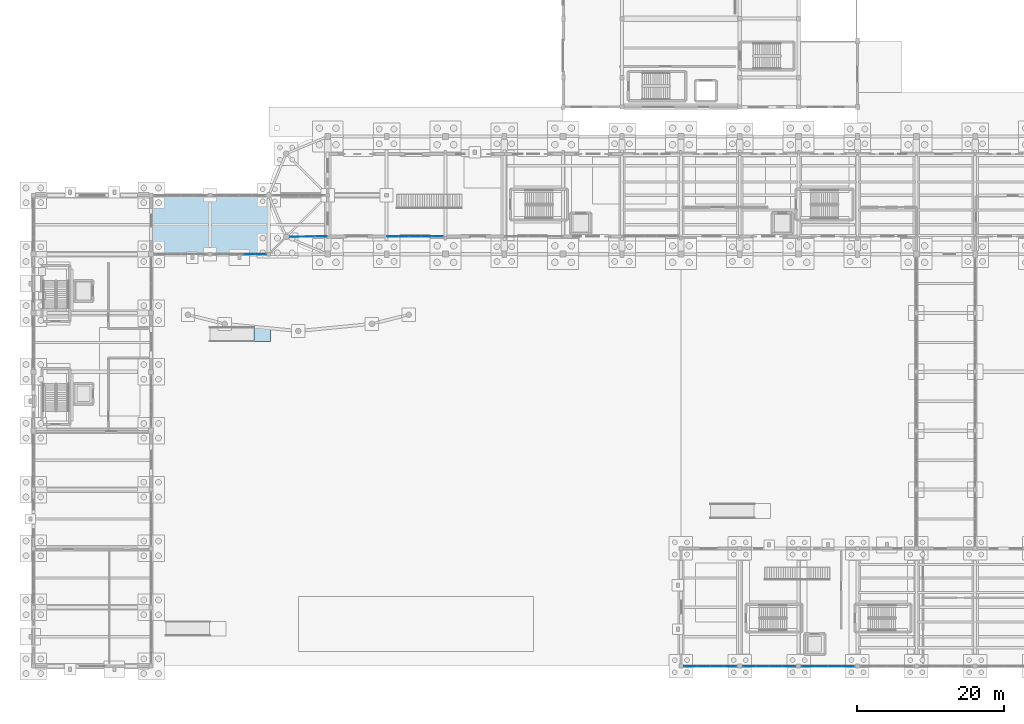
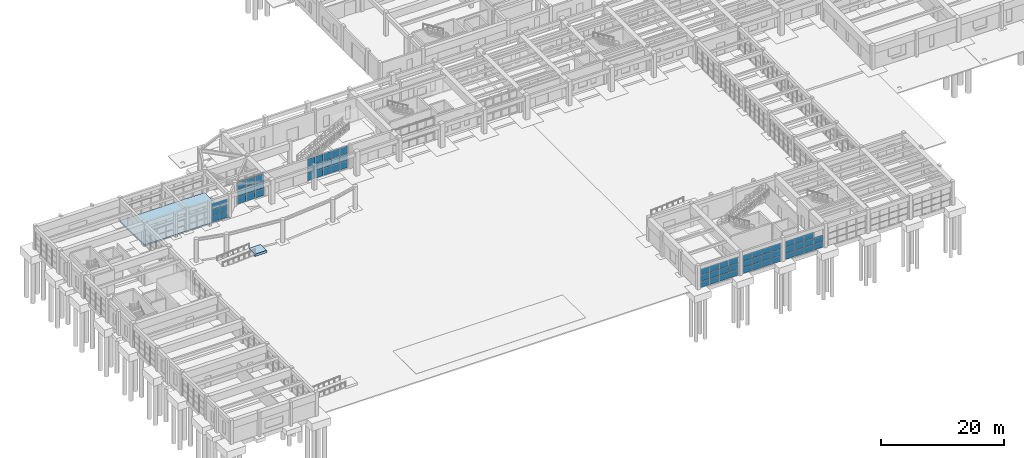
# One storey, part 37 of 68: 65 plates, 2 slabs, 6 elements without a shape of their own.
"""IFC4 building model written with IfcOpenShell, lengths in metres."""

from ifc_helpers import new_model, si_unit, direction, frame, origin, origin_2d, place, context, subcontext, project, spatial, polyline, rectangle, outline, extrude, material, layer, layer_set, type_object, element, aggregate, save


model = new_model("IFC4")

# Units and contexts
model_context = context("Model", 3, precision=1e-05, world=origin(), true_north=direction((0.0, 1.0)))
body_context = subcontext(model_context, "Body", "Model", "MODEL_VIEW")
ifc_project = project(units=[si_unit("LENGTHUNIT", "METRE"), si_unit("AREAUNIT", "SQUARE_METRE"), si_unit("VOLUMEUNIT", "CUBIC_METRE"), si_unit("PLANEANGLEUNIT", "RADIAN"), si_unit("MASSUNIT", "GRAM", prefix="KILO")], contexts=[model_context])

# Site, building, storey
site_placement = place(None, origin())
site = spatial("IfcSite", under=ifc_project, at=site_placement, CompositionType="ELEMENT")
building_placement = place(site_placement, origin())
building = spatial("IfcBuilding", under=site, at=building_placement, Name="Serraluz Foothill Cableway Terminal", CompositionType="ELEMENT")
storey_placement = place(building_placement, origin())
storey = spatial("IfcBuildingStorey", under=building, at=storey_placement, Name="L00", CompositionType="ELEMENT", Elevation=0.0)

# Curtain wall, plates
ifc_material_1 = material(Name="Architectural bronze alloy C28000", Category="aluminium")
curtain_wall_type_1 = type_object("IfcCurtainWallType", Name="TYP-CW-720X420", PredefinedType="NOTDEFINED", material=ifc_material_1)
curtain_wall_1_placement = place(storey_placement, origin())
curtain_wall_1 = element("IfcCurtainWall", 1, at=curtain_wall_1_placement, inside=storey, type_object=curtain_wall_type_1, Name="Ribbed Glazed Curtain Wall CW-V1S-L00-48", PredefinedType="NOTDEFINED")
ifc_material_2 = material(Name="Translucent ribbed laminated channel glass", Category="glass")
ifc_layer_1 = layer(ifc_material_2, 0.028076171875, Name="Translucent ribbed laminated channel glass", Category="glass")
ifc_layer_set_1 = layer_set([ifc_layer_1], Name="Translucent ribbed laminated channel glass")
plate_type_1 = type_object("IfcPlateType", Name="TYP-CW-PNL-28", PredefinedType="CURTAIN_PANEL", material=ifc_layer_set_1)
plate_1_placement = place(storey_placement, frame((54.90673828125, 58.39990234375, 0.06005859375), z_axis=(0.0, 0.0, 1.0), x_axis=(-1.0, 0.0, 0.0)))
plate_1 = element("IfcPlate", 2, at=plate_1_placement, type_object=plate_type_1, Name="CW-02 panel 1.1", PredefinedType="CURTAIN_PANEL", context=body_context, shape_type="SweptSolid", body=[
    extrude(rectangle(XDim=1.4365234375, YDim=0.028076171875, at=origin_2d()), origin(), (0.0, 0.0, 1.0), 1.393310546875),
])
plate_2_placement = place(storey_placement, frame((54.90673828125, 58.39990234375, 1.513427734375), z_axis=(0.0, 0.0, 1.0), x_axis=(-1.0, 0.0, 0.0)))
plate_2 = element("IfcPlate", 3, at=plate_2_placement, type_object=plate_type_1, Name="CW-02 panel 1.2", PredefinedType="CURTAIN_PANEL", context=body_context, shape_type="SweptSolid", body=[
    extrude(rectangle(XDim=1.4365234375, YDim=0.028076171875, at=origin_2d()), origin(), (0.0, 0.0, 1.0), 1.42333984375),
])
plate_3_placement = place(storey_placement, frame((54.90673828125, 58.39990234375, 2.99658203125), z_axis=(0.0, 0.0, 1.0), x_axis=(-1.0, 0.0, 0.0)))
plate_3 = element("IfcPlate", 4, at=plate_3_placement, type_object=plate_type_1, Name="CW-02 panel 1.3", PredefinedType="CURTAIN_PANEL", context=body_context, shape_type="SweptSolid", body=[
    extrude(rectangle(XDim=1.4365234375, YDim=0.028076171875, at=origin_2d()), origin(), (0.0, 0.0, 1.0), 1.393310546875),
])
plate_4_placement = place(storey_placement, frame((53.39501953125, 58.39990234375, 0.06005859375), z_axis=(0.0, 0.0, 1.0), x_axis=(-1.0, 0.0, 0.0)))
plate_4 = element("IfcPlate", 5, at=plate_4_placement, type_object=plate_type_1, Name="CW-02 panel 2.1", PredefinedType="CURTAIN_PANEL", context=body_context, shape_type="SweptSolid", body=[
    extrude(rectangle(XDim=1.466552734375, YDim=0.028076171875, at=origin_2d()), origin(), (0.0, 0.0, 1.0), 1.393310546875),
])
plate_5_placement = place(storey_placement, frame((53.39501953125, 58.39990234375, 1.513427734375), z_axis=(0.0, 0.0, 1.0), x_axis=(-1.0, 0.0, 0.0)))
plate_5 = element("IfcPlate", 6, at=plate_5_placement, type_object=plate_type_1, Name="CW-02 panel 2.2", PredefinedType="CURTAIN_PANEL", context=body_context, shape_type="SweptSolid", body=[
    extrude(rectangle(XDim=1.466552734375, YDim=0.028076171875, at=origin_2d()), origin(), (0.0, 0.0, 1.0), 1.42333984375),
])
plate_6_placement = place(storey_placement, frame((53.39501953125, 58.39990234375, 2.99658203125), z_axis=(0.0, 0.0, 1.0), x_axis=(-1.0, 0.0, 0.0)))
plate_6 = element("IfcPlate", 7, at=plate_6_placement, type_object=plate_type_1, Name="CW-02 panel 2.3", PredefinedType="CURTAIN_PANEL", context=body_context, shape_type="SweptSolid", body=[
    extrude(rectangle(XDim=1.466552734375, YDim=0.028076171875, at=origin_2d()), origin(), (0.0, 0.0, 1.0), 1.393310546875),
])
plate_7_placement = place(storey_placement, frame((51.868408203125, 58.39990234375, 0.06005859375), z_axis=(0.0, 0.0, 1.0), x_axis=(-1.0, 0.0, 0.0)))
plate_7 = element("IfcPlate", 8, at=plate_7_placement, type_object=plate_type_1, Name="CW-02 panel 3.1", PredefinedType="CURTAIN_PANEL", context=body_context, shape_type="SweptSolid", body=[
    extrude(rectangle(XDim=1.466552734375, YDim=0.028076171875, at=origin_2d()), origin(), (0.0, 0.0, 1.0), 1.393310546875),
])
plate_8_placement = place(storey_placement, frame((51.868408203125, 58.39990234375, 1.513427734375), z_axis=(0.0, 0.0, 1.0), x_axis=(-1.0, 0.0, 0.0)))
plate_8 = element("IfcPlate", 9, at=plate_8_placement, type_object=plate_type_1, Name="CW-02 panel 3.2", PredefinedType="CURTAIN_PANEL", context=body_context, shape_type="SweptSolid", body=[
    extrude(rectangle(XDim=1.466552734375, YDim=0.028076171875, at=origin_2d()), origin(), (0.0, 0.0, 1.0), 1.42333984375),
])
plate_9_placement = place(storey_placement, frame((51.868408203125, 58.39990234375, 2.99658203125), z_axis=(0.0, 0.0, 1.0), x_axis=(-1.0, 0.0, 0.0)))
plate_9 = element("IfcPlate", 10, at=plate_9_placement, type_object=plate_type_1, Name="CW-02 panel 3.3", PredefinedType="CURTAIN_PANEL", context=body_context, shape_type="SweptSolid", body=[
    extrude(rectangle(XDim=1.466552734375, YDim=0.028076171875, at=origin_2d()), origin(), (0.0, 0.0, 1.0), 1.393310546875),
])
plate_10_placement = place(storey_placement, frame((50.341796875, 58.39990234375, 0.06005859375), z_axis=(0.0, 0.0, 1.0), x_axis=(-1.0, 0.0, 0.0)))
plate_10 = element("IfcPlate", 11, at=plate_10_placement, type_object=plate_type_1, Name="CW-02 panel 4.1", PredefinedType="CURTAIN_PANEL", context=body_context, shape_type="SweptSolid", body=[
    extrude(rectangle(XDim=1.466552734375, YDim=0.028076171875, at=origin_2d()), origin(), (0.0, 0.0, 1.0), 1.393310546875),
])
plate_11_placement = place(storey_placement, frame((50.341796875, 58.39990234375, 1.513427734375), z_axis=(0.0, 0.0, 1.0), x_axis=(-1.0, 0.0, 0.0)))
plate_11 = element("IfcPlate", 12, at=plate_11_placement, type_object=plate_type_1, Name="CW-02 panel 4.2", PredefinedType="CURTAIN_PANEL", context=body_context, shape_type="SweptSolid", body=[
    extrude(rectangle(XDim=1.466552734375, YDim=0.028076171875, at=origin_2d()), origin(), (0.0, 0.0, 1.0), 1.42333984375),
])
plate_12_placement = place(storey_placement, frame((50.341796875, 58.39990234375, 2.99658203125), z_axis=(0.0, 0.0, 1.0), x_axis=(-1.0, 0.0, 0.0)))
plate_12 = element("IfcPlate", 13, at=plate_12_placement, type_object=plate_type_1, Name="CW-02 panel 4.3", PredefinedType="CURTAIN_PANEL", context=body_context, shape_type="SweptSolid", body=[
    extrude(rectangle(XDim=1.466552734375, YDim=0.028076171875, at=origin_2d()), origin(), (0.0, 0.0, 1.0), 1.393310546875),
])
plate_13_placement = place(storey_placement, frame((48.830322265625, 58.39990234375, 0.06005859375), z_axis=(0.0, 0.0, 1.0), x_axis=(-1.0, 0.0, 0.0)))
plate_13 = element("IfcPlate", 14, at=plate_13_placement, type_object=plate_type_1, Name="CW-02 panel 5.1", PredefinedType="CURTAIN_PANEL", context=body_context, shape_type="SweptSolid", body=[
    extrude(rectangle(XDim=1.4365234375, YDim=0.028076171875, at=origin_2d()), origin(), (0.0, 0.0, 1.0), 1.393310546875),
])
plate_14_placement = place(storey_placement, frame((48.830322265625, 58.39990234375, 1.513427734375), z_axis=(0.0, 0.0, 1.0), x_axis=(-1.0, 0.0, 0.0)))
plate_14 = element("IfcPlate", 15, at=plate_14_placement, type_object=plate_type_1, Name="CW-02 panel 5.2", PredefinedType="CURTAIN_PANEL", context=body_context, shape_type="SweptSolid", body=[
    extrude(rectangle(XDim=1.4365234375, YDim=0.028076171875, at=origin_2d()), origin(), (0.0, 0.0, 1.0), 1.42333984375),
])
plate_15_placement = place(storey_placement, frame((48.830322265625, 58.39990234375, 2.99658203125), z_axis=(0.0, 0.0, 1.0), x_axis=(-1.0, 0.0, 0.0)))
plate_15 = element("IfcPlate", 16, at=plate_15_placement, type_object=plate_type_1, Name="CW-02 panel 5.3", PredefinedType="CURTAIN_PANEL", context=body_context, shape_type="SweptSolid", body=[
    extrude(rectangle(XDim=1.4365234375, YDim=0.028076171875, at=origin_2d()), origin(), (0.0, 0.0, 1.0), 1.393310546875),
])
aggregate(curtain_wall_1, [plate_1, plate_2, plate_3, plate_4, plate_5, plate_6, plate_7, plate_8, plate_9, plate_10, plate_11, plate_12, plate_13, plate_14, plate_15])

curtain_wall_type_2 = type_object("IfcCurtainWallType", Name="TYP-CW-710X420", PredefinedType="NOTDEFINED", material=ifc_material_1)
curtain_wall_2_placement = place(storey_placement, origin())
curtain_wall_2 = element("IfcCurtainWall", 17, at=curtain_wall_2_placement, inside=storey, type_object=curtain_wall_type_2, Name="Ribbed Glazed Curtain Wall CW-WLS-L00-24", PredefinedType="NOTDEFINED")
plate_16_placement = place(storey_placement, frame((30.873046875, 56.0, 0.06005859375), z_axis=(0.0, 0.0, 1.0), x_axis=(-1.0, 0.0, 0.0)))
plate_16 = element("IfcPlate", 18, at=plate_16_placement, type_object=plate_type_1, Name="CW-01 panel 1.1", PredefinedType="CURTAIN_PANEL", context=body_context, shape_type="SweptSolid", body=[
    extrude(rectangle(XDim=1.35400390625, YDim=0.028076171875, at=origin_2d()), origin(), (0.0, 0.0, 1.0), 1.179931640625),
])
plate_17_placement = place(storey_placement, frame((30.873046875, 56.0, 1.300048828125), z_axis=(0.0, 0.0, 1.0), x_axis=(-1.0, 0.0, 0.0)))
plate_17 = element("IfcPlate", 19, at=plate_17_placement, type_object=plate_type_1, Name="CW-01 panel 1.2", PredefinedType="CURTAIN_PANEL", context=body_context, shape_type="SweptSolid", body=[
    extrude(rectangle(XDim=1.35400390625, YDim=0.028076171875, at=origin_2d()), origin(), (0.0, 0.0, 1.0), 1.2099609375),
])
plate_18_placement = place(storey_placement, frame((30.873046875, 56.0, 2.56982421875), z_axis=(0.0, 0.0, 1.0), x_axis=(-1.0, 0.0, 0.0)))
plate_18 = element("IfcPlate", 20, at=plate_18_placement, type_object=plate_type_1, Name="CW-01 panel 1.3", PredefinedType="CURTAIN_PANEL", context=body_context, shape_type="SweptSolid", body=[
    extrude(rectangle(XDim=1.35400390625, YDim=0.028076171875, at=origin_2d()), origin(), (0.0, 0.0, 1.0), 1.179931640625),
])
plate_19_placement = place(storey_placement, frame((29.444091796875, 56.0, 0.06005859375), z_axis=(0.0, 0.0, 1.0), x_axis=(-1.0, 0.0, 0.0)))
plate_19 = element("IfcPlate", 21, at=plate_19_placement, type_object=plate_type_1, Name="CW-01 panel 2.1", PredefinedType="CURTAIN_PANEL", context=body_context, shape_type="SweptSolid", body=[
    extrude(rectangle(XDim=1.384033203125, YDim=0.028076171875, at=origin_2d()), origin(), (0.0, 0.0, 1.0), 1.179931640625),
])
plate_20_placement = place(storey_placement, frame((29.444091796875, 56.0, 1.300048828125), z_axis=(0.0, 0.0, 1.0), x_axis=(-1.0, 0.0, 0.0)))
plate_20 = element("IfcPlate", 22, at=plate_20_placement, type_object=plate_type_1, Name="CW-01 panel 2.2", PredefinedType="CURTAIN_PANEL", context=body_context, shape_type="SweptSolid", body=[
    extrude(rectangle(XDim=1.384033203125, YDim=0.028076171875, at=origin_2d()), origin(), (0.0, 0.0, 1.0), 1.2099609375),
])
plate_21_placement = place(storey_placement, frame((29.444091796875, 56.0, 2.56982421875), z_axis=(0.0, 0.0, 1.0), x_axis=(-1.0, 0.0, 0.0)))
plate_21 = element("IfcPlate", 23, at=plate_21_placement, type_object=plate_type_1, Name="CW-01 panel 2.3", PredefinedType="CURTAIN_PANEL", context=body_context, shape_type="SweptSolid", body=[
    extrude(rectangle(XDim=1.384033203125, YDim=0.028076171875, at=origin_2d()), origin(), (0.0, 0.0, 1.0), 1.179931640625),
])
aggregate(curtain_wall_2, [plate_16, plate_17, plate_18, plate_19, plate_20, plate_21])

curtain_wall_type_3 = type_object("IfcCurtainWallType", Name="TYP-CW-540X420", PredefinedType="NOTDEFINED", material=ifc_material_1)
curtain_wall_3_placement = place(storey_placement, origin())
curtain_wall_3 = element("IfcCurtainWall", 24, at=curtain_wall_3_placement, inside=storey, type_object=curtain_wall_type_3, Name="Ribbed Glazed Curtain Wall CW-WLS-L00-32", PredefinedType="NOTDEFINED")
plate_22_placement = place(storey_placement, frame((39.085205078125, 58.390869140625, 0.06005859375), z_axis=(0.0, 0.0, 1.0), x_axis=(-0.999949335107, -0.010066142226, 0.0)))
plate_22 = element("IfcPlate", 25, at=plate_22_placement, type_object=plate_type_1, Name="CW-10 panel 1.1", PredefinedType="CURTAIN_PANEL", context=body_context, shape_type="SweptSolid", body=[
    extrude(rectangle(XDim=1.60546875, YDim=0.028076171875, at=origin_2d()), origin(), (0.0, 0.0, 1.0), 1.409912109375),
])
plate_23_placement = place(storey_placement, frame((39.085205078125, 58.390869140625, 1.530029296875), z_axis=(0.0, 0.0, 1.0), x_axis=(-0.999949335107, -0.010066142226, 0.0)))
plate_23 = element("IfcPlate", 26, at=plate_23_placement, type_object=plate_type_1, Name="CW-10 panel 1.2", PredefinedType="CURTAIN_PANEL", context=body_context, shape_type="SweptSolid", body=[
    extrude(rectangle(XDim=1.60546875, YDim=0.028076171875, at=origin_2d()), origin(), (0.0, 0.0, 1.0), 1.43994140625),
])
plate_24_placement = place(storey_placement, frame((39.085205078125, 58.390869140625, 3.0302734375), z_axis=(0.0, 0.0, 1.0), x_axis=(-0.999949335107, -0.010066142226, 0.0)))
plate_24 = element("IfcPlate", 27, at=plate_24_placement, type_object=plate_type_1, Name="CW-10 panel 1.3", PredefinedType="CURTAIN_PANEL", context=body_context, shape_type="SweptSolid", body=[
    extrude(rectangle(XDim=1.60546875, YDim=0.028076171875, at=origin_2d()), origin(), (0.0, 0.0, 1.0), 1.409912109375),
])
plate_25_placement = place(storey_placement, frame((37.405029296875, 58.373779296875, 0.06005859375), z_axis=(0.0, 0.0, 1.0), x_axis=(-0.999949335107, -0.010066142226, 0.0)))
plate_25 = element("IfcPlate", 28, at=plate_25_placement, type_object=plate_type_1, Name="CW-10 panel 2.1", PredefinedType="CURTAIN_PANEL", context=body_context, shape_type="SweptSolid", body=[
    extrude(rectangle(XDim=1.635498046875, YDim=0.028076171875, at=origin_2d()), origin(), (0.0, 0.0, 1.0), 1.409912109375),
])
plate_26_placement = place(storey_placement, frame((37.405029296875, 58.373779296875, 1.530029296875), z_axis=(0.0, 0.0, 1.0), x_axis=(-0.999949335107, -0.010066142226, 0.0)))
plate_26 = element("IfcPlate", 29, at=plate_26_placement, type_object=plate_type_1, Name="CW-10 panel 2.2", PredefinedType="CURTAIN_PANEL", context=body_context, shape_type="SweptSolid", body=[
    extrude(rectangle(XDim=1.635498046875, YDim=0.028076171875, at=origin_2d()), origin(), (0.0, 0.0, 1.0), 1.43994140625),
])
plate_27_placement = place(storey_placement, frame((37.405029296875, 58.373779296875, 3.0302734375), z_axis=(0.0, 0.0, 1.0), x_axis=(-0.999949335107, -0.010066142226, 0.0)))
plate_27 = element("IfcPlate", 30, at=plate_27_placement, type_object=plate_type_1, Name="CW-10 panel 2.3", PredefinedType="CURTAIN_PANEL", context=body_context, shape_type="SweptSolid", body=[
    extrude(rectangle(XDim=1.635498046875, YDim=0.028076171875, at=origin_2d()), origin(), (0.0, 0.0, 1.0), 1.409912109375),
])
plate_28_placement = place(storey_placement, frame((35.724609375, 58.35693359375, 0.06005859375), z_axis=(0.0, 0.0, 1.0), x_axis=(-0.999949335107, -0.010066142226, 0.0)))
plate_28 = element("IfcPlate", 31, at=plate_28_placement, type_object=plate_type_1, Name="CW-10 panel 3.1", PredefinedType="CURTAIN_PANEL", context=body_context, shape_type="SweptSolid", body=[
    extrude(rectangle(XDim=1.60546875, YDim=0.028076171875, at=origin_2d()), origin(), (0.0, 0.0, 1.0), 1.409912109375),
])
plate_29_placement = place(storey_placement, frame((35.724609375, 58.35693359375, 1.530029296875), z_axis=(0.0, 0.0, 1.0), x_axis=(-0.999949335107, -0.010066142226, 0.0)))
plate_29 = element("IfcPlate", 32, at=plate_29_placement, type_object=plate_type_1, Name="CW-10 panel 3.2", PredefinedType="CURTAIN_PANEL", context=body_context, shape_type="SweptSolid", body=[
    extrude(rectangle(XDim=1.60546875, YDim=0.028076171875, at=origin_2d()), origin(), (0.0, 0.0, 1.0), 1.43994140625),
])
plate_30_placement = place(storey_placement, frame((35.724609375, 58.35693359375, 3.0302734375), z_axis=(0.0, 0.0, 1.0), x_axis=(-0.999949335107, -0.010066142226, 0.0)))
plate_30 = element("IfcPlate", 33, at=plate_30_placement, type_object=plate_type_1, Name="CW-10 panel 3.3", PredefinedType="CURTAIN_PANEL", context=body_context, shape_type="SweptSolid", body=[
    extrude(rectangle(XDim=1.60546875, YDim=0.028076171875, at=origin_2d()), origin(), (0.0, 0.0, 1.0), 1.409912109375),
])
aggregate(curtain_wall_3, [plate_22, plate_23, plate_24, plate_25, plate_26, plate_27, plate_28, plate_29, plate_30])

curtain_wall_type_4 = type_object("IfcCurtainWallType", Name="TYP-CW-640X440", PredefinedType="NOTDEFINED", material=ifc_material_1)
curtain_wall_4_placement = place(storey_placement, origin())
curtain_wall_4 = element("IfcCurtainWall", 34, at=curtain_wall_4_placement, inside=storey, type_object=curtain_wall_type_4, Name="Ribbed Glazed Curtain Wall CW-V3S-L00-88", PredefinedType="NOTDEFINED")
ifc_material_3 = material(Name="Laminated low-E safety glass", Category="glass")
ifc_layer_2 = layer(ifc_material_3, 0.031982421875, Name="Laminated low-E safety glass", Category="glass")
ifc_layer_set_2 = layer_set([ifc_layer_2], Name="Laminated low-E safety glass")
plate_type_2 = type_object("IfcPlateType", Name="TYP-CW-PNL-32", PredefinedType="CURTAIN_PANEL", material=ifc_layer_set_2)
plate_31_placement = place(storey_placement, frame((94.673828125, 0.0, 0.06005859375), z_axis=(0.0, 0.0, 1.0), x_axis=(-1.0, 0.0, 0.0)))
plate_31 = element("IfcPlate", 35, at=plate_31_placement, type_object=plate_type_2, Name="CW-12 panel 1.1", PredefinedType="CURTAIN_PANEL", context=body_context, shape_type="SweptSolid", body=[
    extrude(rectangle(XDim=1.702392578125, YDim=0.031982421875, at=origin_2d()), origin(), (0.0, 0.0, 1.0), 1.191650390625),
])
plate_32_placement = place(storey_placement, frame((94.673828125, 0.0, 1.311767578125), z_axis=(0.0, 0.0, 1.0), x_axis=(-1.0, 0.0, 0.0)))
plate_32 = element("IfcPlate", 36, at=plate_32_placement, type_object=plate_type_2, Name="CW-12 panel 1.2", PredefinedType="CURTAIN_PANEL", context=body_context, shape_type="SweptSolid", body=[
    extrude(rectangle(XDim=1.702392578125, YDim=0.031982421875, at=origin_2d()), origin(), (0.0, 0.0, 1.0), 1.2216796875),
])
plate_33_placement = place(storey_placement, frame((94.673828125, 0.0, 2.59326171875), z_axis=(0.0, 0.0, 1.0), x_axis=(-1.0, 0.0, 0.0)))
plate_33 = element("IfcPlate", 37, at=plate_33_placement, type_object=plate_type_2, Name="CW-12 panel 1.3", PredefinedType="CURTAIN_PANEL", context=body_context, shape_type="SweptSolid", body=[
    extrude(rectangle(XDim=1.702392578125, YDim=0.031982421875, at=origin_2d()), origin(), (0.0, 0.0, 1.0), 1.191650390625),
])
plate_34_placement = place(storey_placement, frame((92.896240234375, 0.0, 0.06005859375), z_axis=(0.0, 0.0, 1.0), x_axis=(-1.0, 0.0, 0.0)))
plate_34 = element("IfcPlate", 38, at=plate_34_placement, type_object=plate_type_2, Name="CW-12 panel 2.1", PredefinedType="CURTAIN_PANEL", context=body_context, shape_type="SweptSolid", body=[
    extrude(rectangle(XDim=1.732421875, YDim=0.031982421875, at=origin_2d()), origin(), (0.0, 0.0, 1.0), 1.191650390625),
])
plate_35_placement = place(storey_placement, frame((92.896240234375, 0.0, 1.311767578125), z_axis=(0.0, 0.0, 1.0), x_axis=(-1.0, 0.0, 0.0)))
plate_35 = element("IfcPlate", 39, at=plate_35_placement, type_object=plate_type_2, Name="CW-12 panel 2.2", PredefinedType="CURTAIN_PANEL", context=body_context, shape_type="SweptSolid", body=[
    extrude(rectangle(XDim=1.732421875, YDim=0.031982421875, at=origin_2d()), origin(), (0.0, 0.0, 1.0), 1.2216796875),
])
plate_36_placement = place(storey_placement, frame((92.896240234375, 0.0, 2.59326171875), z_axis=(0.0, 0.0, 1.0), x_axis=(-1.0, 0.0, 0.0)))
plate_36 = element("IfcPlate", 40, at=plate_36_placement, type_object=plate_type_2, Name="CW-12 panel 2.3", PredefinedType="CURTAIN_PANEL", context=body_context, shape_type="SweptSolid", body=[
    extrude(rectangle(XDim=1.732421875, YDim=0.031982421875, at=origin_2d()), origin(), (0.0, 0.0, 1.0), 1.191650390625),
])
plate_37_placement = place(storey_placement, frame((91.103759765625, 0.0, 0.06005859375), z_axis=(0.0, 0.0, 1.0), x_axis=(-1.0, 0.0, 0.0)))
plate_37 = element("IfcPlate", 41, at=plate_37_placement, type_object=plate_type_2, Name="CW-12 panel 3.1", PredefinedType="CURTAIN_PANEL", context=body_context, shape_type="SweptSolid", body=[
    extrude(rectangle(XDim=1.732421875, YDim=0.031982421875, at=origin_2d()), origin(), (0.0, 0.0, 1.0), 1.191650390625),
])
plate_38_placement = place(storey_placement, frame((91.103759765625, 0.0, 1.311767578125), z_axis=(0.0, 0.0, 1.0), x_axis=(-1.0, 0.0, 0.0)))
plate_38 = element("IfcPlate", 42, at=plate_38_placement, type_object=plate_type_2, Name="CW-12 panel 3.2", PredefinedType="CURTAIN_PANEL", context=body_context, shape_type="SweptSolid", body=[
    extrude(rectangle(XDim=1.732421875, YDim=0.031982421875, at=origin_2d()), origin(), (0.0, 0.0, 1.0), 1.2216796875),
])
plate_39_placement = place(storey_placement, frame((91.103759765625, 0.0, 2.59326171875), z_axis=(0.0, 0.0, 1.0), x_axis=(-1.0, 0.0, 0.0)))
plate_39 = element("IfcPlate", 43, at=plate_39_placement, type_object=plate_type_2, Name="CW-12 panel 3.3", PredefinedType="CURTAIN_PANEL", context=body_context, shape_type="SweptSolid", body=[
    extrude(rectangle(XDim=1.732421875, YDim=0.031982421875, at=origin_2d()), origin(), (0.0, 0.0, 1.0), 1.191650390625),
])
plate_40_placement = place(storey_placement, frame((89.326171875, 0.0, 0.06005859375), z_axis=(0.0, 0.0, 1.0), x_axis=(-1.0, 0.0, 0.0)))
plate_40 = element("IfcPlate", 44, at=plate_40_placement, type_object=plate_type_2, Name="CW-12 panel 4.1", PredefinedType="CURTAIN_PANEL", context=body_context, shape_type="SweptSolid", body=[
    extrude(rectangle(XDim=1.702392578125, YDim=0.031982421875, at=origin_2d()), origin(), (0.0, 0.0, 1.0), 1.191650390625),
])
plate_41_placement = place(storey_placement, frame((89.326171875, 0.0, 1.311767578125), z_axis=(0.0, 0.0, 1.0), x_axis=(-1.0, 0.0, 0.0)))
plate_41 = element("IfcPlate", 45, at=plate_41_placement, type_object=plate_type_2, Name="CW-12 panel 4.2", PredefinedType="CURTAIN_PANEL", context=body_context, shape_type="SweptSolid", body=[
    extrude(rectangle(XDim=1.702392578125, YDim=0.031982421875, at=origin_2d()), origin(), (0.0, 0.0, 1.0), 1.2216796875),
])
plate_42_placement = place(storey_placement, frame((89.326171875, 0.0, 2.59326171875), z_axis=(0.0, 0.0, 1.0), x_axis=(-1.0, 0.0, 0.0)))
plate_42 = element("IfcPlate", 46, at=plate_42_placement, type_object=plate_type_2, Name="CW-12 panel 4.3", PredefinedType="CURTAIN_PANEL", context=body_context, shape_type="SweptSolid", body=[
    extrude(rectangle(XDim=1.702392578125, YDim=0.031982421875, at=origin_2d()), origin(), (0.0, 0.0, 1.0), 1.191650390625),
])
aggregate(curtain_wall_4, [plate_31, plate_32, plate_33, plate_34, plate_35, plate_36, plate_37, plate_38, plate_39, plate_40, plate_41, plate_42])

curtain_wall_type_5 = type_object("IfcCurtainWallType", Name="TYP-CW-680X420", PredefinedType="NOTDEFINED", material=ifc_material_1)
curtain_wall_5_placement = place(storey_placement, origin())
curtain_wall_5 = element("IfcCurtainWall", 47, at=curtain_wall_5_placement, inside=storey, type_object=curtain_wall_type_5, Name="Ribbed Glazed Curtain Wall CW-V3S-L00-96", PredefinedType="NOTDEFINED")
plate_43_placement = place(storey_placement, frame((102.673828125, 0.0, 0.06005859375), z_axis=(0.0, 0.0, 1.0), x_axis=(-1.0, 0.0, 0.0)))
plate_43 = element("IfcPlate", 48, at=plate_43_placement, type_object=plate_type_2, Name="CW-13 panel 1.1", PredefinedType="CURTAIN_PANEL", context=body_context, shape_type="SweptSolid", body=[
    extrude(rectangle(XDim=1.702392578125, YDim=0.031982421875, at=origin_2d()), origin(), (0.0, 0.0, 1.0), 1.17333984375),
])
plate_44_placement = place(storey_placement, frame((102.673828125, 0.0, 1.29345703125), z_axis=(0.0, 0.0, 1.0), x_axis=(-1.0, 0.0, 0.0)))
plate_44 = element("IfcPlate", 49, at=plate_44_placement, type_object=plate_type_2, Name="CW-13 panel 1.2", PredefinedType="CURTAIN_PANEL", context=body_context, shape_type="SweptSolid", body=[
    extrude(rectangle(XDim=1.702392578125, YDim=0.031982421875, at=origin_2d()), origin(), (0.0, 0.0, 1.0), 1.203369140625),
])
plate_45_placement = place(storey_placement, frame((102.673828125, 0.0, 2.556640625), z_axis=(0.0, 0.0, 1.0), x_axis=(-1.0, 0.0, 0.0)))
plate_45 = element("IfcPlate", 50, at=plate_45_placement, type_object=plate_type_2, Name="CW-13 panel 1.3", PredefinedType="CURTAIN_PANEL", context=body_context, shape_type="SweptSolid", body=[
    extrude(rectangle(XDim=1.702392578125, YDim=0.031982421875, at=origin_2d()), origin(), (0.0, 0.0, 1.0), 1.17333984375),
])
plate_46_placement = place(storey_placement, frame((100.896240234375, 0.0, 0.06005859375), z_axis=(0.0, 0.0, 1.0), x_axis=(-1.0, 0.0, 0.0)))
plate_46 = element("IfcPlate", 51, at=plate_46_placement, type_object=plate_type_2, Name="CW-13 panel 2.1", PredefinedType="CURTAIN_PANEL", context=body_context, shape_type="SweptSolid", body=[
    extrude(rectangle(XDim=1.732421875, YDim=0.031982421875, at=origin_2d()), origin(), (0.0, 0.0, 1.0), 1.17333984375),
])
plate_47_placement = place(storey_placement, frame((100.896240234375, 0.0, 1.29345703125), z_axis=(0.0, 0.0, 1.0), x_axis=(-1.0, 0.0, 0.0)))
plate_47 = element("IfcPlate", 52, at=plate_47_placement, type_object=plate_type_2, Name="CW-13 panel 2.2", PredefinedType="CURTAIN_PANEL", context=body_context, shape_type="SweptSolid", body=[
    extrude(rectangle(XDim=1.732421875, YDim=0.031982421875, at=origin_2d()), origin(), (0.0, 0.0, 1.0), 1.203369140625),
])
plate_48_placement = place(storey_placement, frame((100.896240234375, 0.0, 2.556640625), z_axis=(0.0, 0.0, 1.0), x_axis=(-1.0, 0.0, 0.0)))
plate_48 = element("IfcPlate", 53, at=plate_48_placement, type_object=plate_type_2, Name="CW-13 panel 2.3", PredefinedType="CURTAIN_PANEL", context=body_context, shape_type="SweptSolid", body=[
    extrude(rectangle(XDim=1.732421875, YDim=0.031982421875, at=origin_2d()), origin(), (0.0, 0.0, 1.0), 1.17333984375),
])
plate_49_placement = place(storey_placement, frame((99.103759765625, 0.0, 0.06005859375), z_axis=(0.0, 0.0, 1.0), x_axis=(-1.0, 0.0, 0.0)))
plate_49 = element("IfcPlate", 54, at=plate_49_placement, type_object=plate_type_2, Name="CW-13 panel 3.1", PredefinedType="CURTAIN_PANEL", context=body_context, shape_type="SweptSolid", body=[
    extrude(rectangle(XDim=1.732421875, YDim=0.031982421875, at=origin_2d()), origin(), (0.0, 0.0, 1.0), 1.17333984375),
])
plate_50_placement = place(storey_placement, frame((99.103759765625, 0.0, 1.29345703125), z_axis=(0.0, 0.0, 1.0), x_axis=(-1.0, 0.0, 0.0)))
plate_50 = element("IfcPlate", 55, at=plate_50_placement, type_object=plate_type_2, Name="CW-13 panel 3.2", PredefinedType="CURTAIN_PANEL", context=body_context, shape_type="SweptSolid", body=[
    extrude(rectangle(XDim=1.732421875, YDim=0.031982421875, at=origin_2d()), origin(), (0.0, 0.0, 1.0), 1.203369140625),
])
plate_51_placement = place(storey_placement, frame((99.103759765625, 0.0, 2.556640625), z_axis=(0.0, 0.0, 1.0), x_axis=(-1.0, 0.0, 0.0)))
plate_51 = element("IfcPlate", 56, at=plate_51_placement, type_object=plate_type_2, Name="CW-13 panel 3.3", PredefinedType="CURTAIN_PANEL", context=body_context, shape_type="SweptSolid", body=[
    extrude(rectangle(XDim=1.732421875, YDim=0.031982421875, at=origin_2d()), origin(), (0.0, 0.0, 1.0), 1.17333984375),
])
plate_52_placement = place(storey_placement, frame((97.326171875, 0.0, 0.06005859375), z_axis=(0.0, 0.0, 1.0), x_axis=(-1.0, 0.0, 0.0)))
plate_52 = element("IfcPlate", 57, at=plate_52_placement, type_object=plate_type_2, Name="CW-13 panel 4.1", PredefinedType="CURTAIN_PANEL", context=body_context, shape_type="SweptSolid", body=[
    extrude(rectangle(XDim=1.702392578125, YDim=0.031982421875, at=origin_2d()), origin(), (0.0, 0.0, 1.0), 1.17333984375),
])
plate_53_placement = place(storey_placement, frame((97.326171875, 0.0, 1.29345703125), z_axis=(0.0, 0.0, 1.0), x_axis=(-1.0, 0.0, 0.0)))
plate_53 = element("IfcPlate", 58, at=plate_53_placement, type_object=plate_type_2, Name="CW-13 panel 4.2", PredefinedType="CURTAIN_PANEL", context=body_context, shape_type="SweptSolid", body=[
    extrude(rectangle(XDim=1.702392578125, YDim=0.031982421875, at=origin_2d()), origin(), (0.0, 0.0, 1.0), 1.203369140625),
])
plate_54_placement = place(storey_placement, frame((97.326171875, 0.0, 2.556640625), z_axis=(0.0, 0.0, 1.0), x_axis=(-1.0, 0.0, 0.0)))
plate_54 = element("IfcPlate", 59, at=plate_54_placement, type_object=plate_type_2, Name="CW-13 panel 4.3", PredefinedType="CURTAIN_PANEL", context=body_context, shape_type="SweptSolid", body=[
    extrude(rectangle(XDim=1.702392578125, YDim=0.031982421875, at=origin_2d()), origin(), (0.0, 0.0, 1.0), 1.17333984375),
])
aggregate(curtain_wall_5, [plate_43, plate_44, plate_45, plate_46, plate_47, plate_48, plate_49, plate_50, plate_51, plate_52, plate_53, plate_54])

curtain_wall_type_6 = type_object("IfcCurtainWallType", Name="TYP-CW-480X380", PredefinedType="NOTDEFINED", material=ifc_material_1)
curtain_wall_6_placement = place(storey_placement, origin())
curtain_wall_6 = element("IfcCurtainWall", 60, at=curtain_wall_6_placement, inside=storey, type_object=curtain_wall_type_6, Name="Ribbed Glazed Curtain Wall CW-V3S-L00-104", PredefinedType="NOTDEFINED")
plate_55_placement = place(storey_placement, frame((110.673828125, 0.0, 0.06005859375), z_axis=(0.0, 0.0, 1.0), x_axis=(-1.0, 0.0, 0.0)))
plate_55 = element("IfcPlate", 61, at=plate_55_placement, type_object=plate_type_2, Name="CW-14 panel 1.1", PredefinedType="CURTAIN_PANEL", context=body_context, shape_type="SweptSolid", body=[
    extrude(rectangle(XDim=1.702392578125, YDim=0.031982421875, at=origin_2d()), origin(), (0.0, 0.0, 1.0), 1.17333984375),
])
plate_56_placement = place(storey_placement, frame((110.673828125, 0.0, 1.29345703125), z_axis=(0.0, 0.0, 1.0), x_axis=(-1.0, 0.0, 0.0)))
plate_56 = element("IfcPlate", 62, at=plate_56_placement, type_object=plate_type_2, Name="CW-14 panel 1.2", PredefinedType="CURTAIN_PANEL", context=body_context, shape_type="SweptSolid", body=[
    extrude(rectangle(XDim=1.702392578125, YDim=0.031982421875, at=origin_2d()), origin(), (0.0, 0.0, 1.0), 1.203369140625),
])
plate_57_placement = place(storey_placement, frame((108.896240234375, 0.0, 0.06005859375), z_axis=(0.0, 0.0, 1.0), x_axis=(-1.0, 0.0, 0.0)))
plate_57 = element("IfcPlate", 63, at=plate_57_placement, type_object=plate_type_2, Name="CW-14 panel 2.1", PredefinedType="CURTAIN_PANEL", context=body_context, shape_type="SweptSolid", body=[
    extrude(rectangle(XDim=1.732421875, YDim=0.031982421875, at=origin_2d()), origin(), (0.0, 0.0, 1.0), 1.17333984375),
])
plate_58_placement = place(storey_placement, frame((108.896240234375, 0.0, 1.29345703125), z_axis=(0.0, 0.0, 1.0), x_axis=(-1.0, 0.0, 0.0)))
plate_58 = element("IfcPlate", 64, at=plate_58_placement, type_object=plate_type_2, Name="CW-14 panel 2.2", PredefinedType="CURTAIN_PANEL", context=body_context, shape_type="SweptSolid", body=[
    extrude(rectangle(XDim=1.732421875, YDim=0.031982421875, at=origin_2d()), origin(), (0.0, 0.0, 1.0), 1.203369140625),
])
plate_59_placement = place(storey_placement, frame((108.896240234375, 0.0, 2.556640625), z_axis=(0.0, 0.0, 1.0), x_axis=(-1.0, 0.0, 0.0)))
plate_59 = element("IfcPlate", 65, at=plate_59_placement, type_object=plate_type_2, Name="CW-14 panel 2.3", PredefinedType="CURTAIN_PANEL", context=body_context, shape_type="SweptSolid", body=[
    extrude(rectangle(XDim=1.732421875, YDim=0.031982421875, at=origin_2d()), origin(), (0.0, 0.0, 1.0), 1.17333984375),
])
plate_60_placement = place(storey_placement, frame((107.103759765625, 0.0, 0.06005859375), z_axis=(0.0, 0.0, 1.0), x_axis=(-1.0, 0.0, 0.0)))
plate_60 = element("IfcPlate", 66, at=plate_60_placement, type_object=plate_type_2, Name="CW-14 panel 3.1", PredefinedType="CURTAIN_PANEL", context=body_context, shape_type="SweptSolid", body=[
    extrude(rectangle(XDim=1.732421875, YDim=0.031982421875, at=origin_2d()), origin(), (0.0, 0.0, 1.0), 1.17333984375),
])
plate_61_placement = place(storey_placement, frame((107.103759765625, 0.0, 1.29345703125), z_axis=(0.0, 0.0, 1.0), x_axis=(-1.0, 0.0, 0.0)))
plate_61 = element("IfcPlate", 67, at=plate_61_placement, type_object=plate_type_2, Name="CW-14 panel 3.2", PredefinedType="CURTAIN_PANEL", context=body_context, shape_type="SweptSolid", body=[
    extrude(rectangle(XDim=1.732421875, YDim=0.031982421875, at=origin_2d()), origin(), (0.0, 0.0, 1.0), 1.203369140625),
])
plate_62_placement = place(storey_placement, frame((107.103759765625, 0.0, 2.556640625), z_axis=(0.0, 0.0, 1.0), x_axis=(-1.0, 0.0, 0.0)))
plate_62 = element("IfcPlate", 68, at=plate_62_placement, type_object=plate_type_2, Name="CW-14 panel 3.3", PredefinedType="CURTAIN_PANEL", context=body_context, shape_type="SweptSolid", body=[
    extrude(rectangle(XDim=1.732421875, YDim=0.031982421875, at=origin_2d()), origin(), (0.0, 0.0, 1.0), 1.17333984375),
])
plate_63_placement = place(storey_placement, frame((105.326171875, 0.0, 0.06005859375), z_axis=(0.0, 0.0, 1.0), x_axis=(-1.0, 0.0, 0.0)))
plate_63 = element("IfcPlate", 69, at=plate_63_placement, type_object=plate_type_2, Name="CW-14 panel 4.1", PredefinedType="CURTAIN_PANEL", context=body_context, shape_type="SweptSolid", body=[
    extrude(rectangle(XDim=1.702392578125, YDim=0.031982421875, at=origin_2d()), origin(), (0.0, 0.0, 1.0), 1.17333984375),
])
plate_64_placement = place(storey_placement, frame((105.326171875, 0.0, 1.29345703125), z_axis=(0.0, 0.0, 1.0), x_axis=(-1.0, 0.0, 0.0)))
plate_64 = element("IfcPlate", 70, at=plate_64_placement, type_object=plate_type_2, Name="CW-14 panel 4.2", PredefinedType="CURTAIN_PANEL", context=body_context, shape_type="SweptSolid", body=[
    extrude(rectangle(XDim=1.702392578125, YDim=0.031982421875, at=origin_2d()), origin(), (0.0, 0.0, 1.0), 1.203369140625),
])
plate_65_placement = place(storey_placement, frame((105.326171875, 0.0, 2.556640625), z_axis=(0.0, 0.0, 1.0), x_axis=(-1.0, 0.0, 0.0)))
plate_65 = element("IfcPlate", 71, at=plate_65_placement, type_object=plate_type_2, Name="CW-14 panel 4.3", PredefinedType="CURTAIN_PANEL", context=body_context, shape_type="SweptSolid", body=[
    extrude(rectangle(XDim=1.702392578125, YDim=0.031982421875, at=origin_2d()), origin(), (0.0, 0.0, 1.0), 1.17333984375),
])
aggregate(curtain_wall_6, [plate_55, plate_56, plate_57, plate_58, plate_59, plate_60, plate_61, plate_62, plate_63, plate_64, plate_65])

# Slabs
ifc_material_4 = material(Name="Concrete C28/35 (f'c 28 MPa)", Category="concrete")
ifc_layer_3 = layer(ifc_material_4, 0.300048828125, Name="Concrete C28/35 (f'c 28 MPa)", Category="concrete")
ifc_layer_set_3 = layer_set([ifc_layer_3], Name="Concrete C28/35 (f'c 28 MPa)")
slab_type_1 = type_object("IfcSlabType", Name="TYP-SLB-BASE-300", PredefinedType="BASESLAB", material=ifc_layer_set_3)
slab_1_placement = place(storey_placement, frame((0.0, 0.0, -0.300048828125)))
element("IfcSlab", 72, at=slab_1_placement, inside=storey, type_object=slab_type_1, Name="Structural Slab SLB-L00-V5B", PredefinedType="BASESLAB", context=body_context, shape_type="SweptSolid", body=[
    extrude(outline(polyline([(16.0, 56.0), (32.0, 56.0), (32.0, 64.0), (16.0, 64.0), (16.0, 56.0)])), origin(), (0.0, 0.0, 1.0), 0.300048828125),
])
ifc_material_5 = material(Name="Concrete C35/45 (f'c 35 MPa)", Category="concrete")
ifc_layer_4 = layer(ifc_material_5, 0.449951171875, Name="Concrete C35/45 (f'c 35 MPa)", Category="concrete")
ifc_layer_set_4 = layer_set([ifc_layer_4], Name="Concrete C35/45 (f'c 35 MPa)")
slab_type_2 = type_object("IfcSlabType", Name="TYP-SLB-BASE-450", PredefinedType="BASESLAB", material=ifc_layer_set_4)
slab_2_placement = place(storey_placement, origin())
element("IfcSlab", 73, at=slab_2_placement, inside=storey, type_object=slab_type_2, Name="Ramp Arrival Plinth RMP-03", PredefinedType="BASESLAB", context=body_context, shape_type="SweptSolid", body=[
    extrude(outline(polyline([(29.949951171875, 44.10009765625), (32.199951171875, 44.10009765625), (32.199951171875, 46.10009765625), (29.949951171875, 46.10009765625), (29.949951171875, 44.10009765625)])), origin(), (0.0, 0.0, 1.0), 0.449951171875),
])

save(model, "model.ifc")
